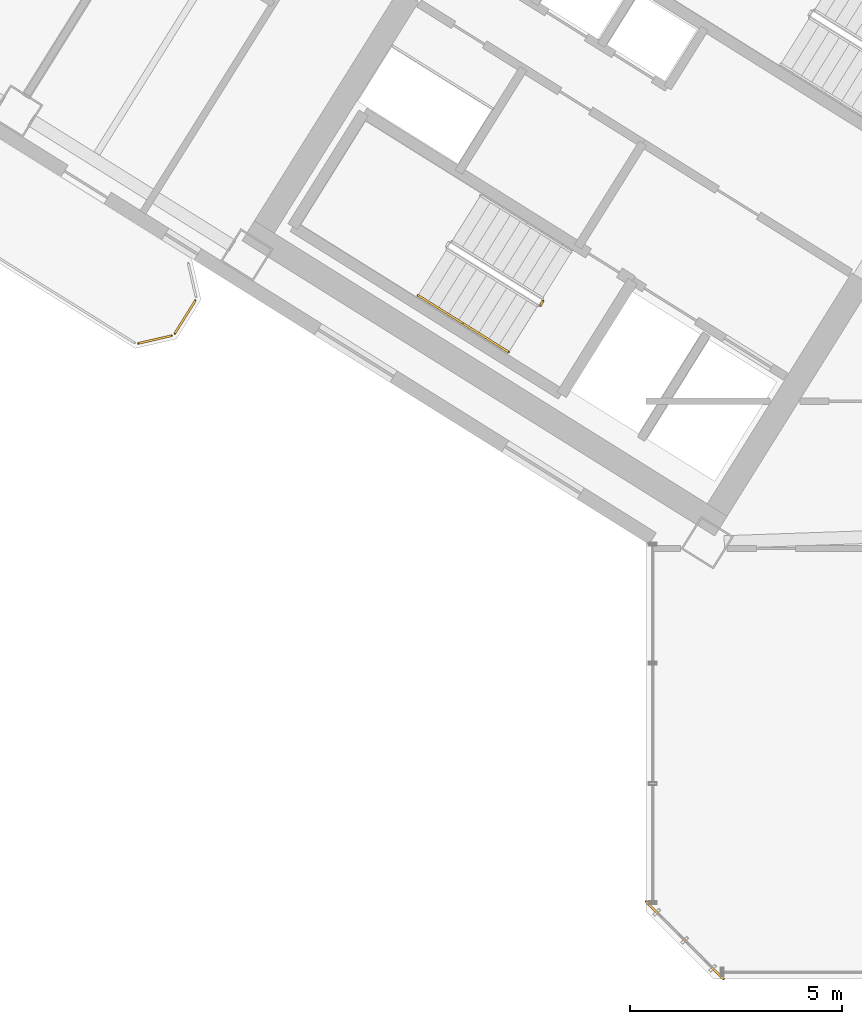
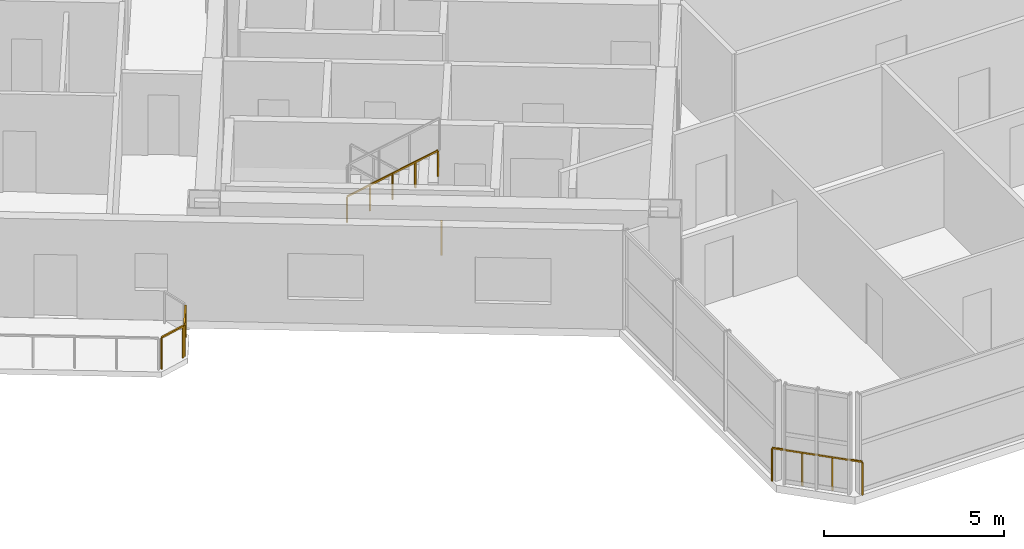
# One storey, part 17 of 20: 6 railings.
"""IFC4 building model written with IfcOpenShell, lengths in metres."""

import ifcopenshell
import ifcopenshell.guid

model = None  # the IFC model being written
_history = None  # IfcOwnerHistory: only IFC2X3 demands one
_inside = {}  # id of a spatial element -> (the spatial element, [elements in it])
_under = {}  # id of a project, library or spatial element -> (it, [spatial elements below it])
_declared = {}  # id of a project -> (the project, [libraries it declares])
_typed = {}  # id of a type object -> (the type object, [elements of that type])
_made_of = {}  # id of a material, layer set ... -> (it, [elements and type objects made of it])


def new_model(schema):
    """Start an empty IFC model of exactly this schema.

    Asked for "IFC4X3", IfcOpenShell would pick the latest addendum, in which some entities
    have other attributes; the version numbers below select the first issue.
    IFC2X3 requires an IfcOwnerHistory on every rooted entity: one is made here for all.
    """
    global model, _history
    if schema == "IFC4X3":
        model = ifcopenshell.file(schema_version=(4, 3, 0, 0))
    else:
        model = ifcopenshell.file(schema=schema)
    _inside.clear()
    _under.clear()
    _declared.clear()
    _typed.clear()
    _made_of.clear()
    _history = None
    if model.schema == "IFC2X3":
        org = make("IfcOrganization", Name="unknown")
        user = make(
            "IfcPersonAndOrganization",
            ThePerson=make("IfcPerson", FamilyName="unknown"),
            TheOrganization=org,
        )
        app = make(
            "IfcApplication",
            ApplicationDeveloper=org,
            Version="unknown",
            ApplicationFullName="unknown",
            ApplicationIdentifier="unknown",
        )
        _history = make(
            "IfcOwnerHistory",
            OwningUser=user,
            OwningApplication=app,
            ChangeAction="ADDED",
            CreationDate=0,
        )
    return model


def make(cls, **values):
    """One entity of the class cls with the attributes given. An attribute that is None is left unset."""
    return model.create_entity(
        cls, **{name: value for name, value in values.items() if value is not None}
    )


def rooted(cls, **values):
    """An entity with a GlobalId (a new one), such as an element, a storey or a relation."""
    return make(cls, GlobalId=ifcopenshell.guid.new(), OwnerHistory=_history, **values)


def si_unit(unit_type, name, prefix=None):
    """IfcSIUnit, for example si_unit("LENGTHUNIT", "METRE", prefix="MILLI")."""
    return make("IfcSIUnit", UnitType=unit_type, Prefix=prefix, Name=name)


def assignment(units):
    """IfcUnitAssignment: the units of a project."""
    return None if units is None else make("IfcUnitAssignment", Units=units)


def point(xyz):
    """IfcCartesianPoint."""
    return None if xyz is None else make("IfcCartesianPoint", Coordinates=xyz)


def direction(xyz):
    """IfcDirection."""
    return None if xyz is None else make("IfcDirection", DirectionRatios=xyz)


def frame(location, z_axis=None, x_axis=None):
    """IfcAxis2Placement3D, a coordinate frame: its origin and axes. An axis left out is left unset."""
    return make(
        "IfcAxis2Placement3D",
        Location=point(location),
        Axis=direction(z_axis),
        RefDirection=direction(x_axis),
    )


def frame_2d(location, x_axis=None):
    """IfcAxis2Placement2D, a coordinate frame in the plane: its origin and x axis."""
    return make(
        "IfcAxis2Placement2D", Location=point(location), RefDirection=direction(x_axis)
    )


def origin():
    """The frame at (0, 0, 0) with its axes left unset."""
    return frame((0.0, 0.0, 0.0))


def origin_2d():
    """The frame at (0, 0) in the plane with its x axis left unset."""
    return frame_2d((0.0, 0.0))


def place(relative_to, where):
    """IfcLocalPlacement: puts the frame where relative to a parent placement (None: the world)."""
    return make(
        "IfcLocalPlacement", PlacementRelTo=relative_to, RelativePlacement=where
    )


def context(
    kind, dimensions, precision=None, world=None, true_north=None, identifier=None
):
    """IfcGeometricRepresentationContext, for example the 3D "Model" context."""
    return make(
        "IfcGeometricRepresentationContext",
        ContextIdentifier=identifier,
        ContextType=kind,
        CoordinateSpaceDimension=dimensions,
        Precision=precision,
        WorldCoordinateSystem=world,
        TrueNorth=true_north,
    )


def subcontext(parent, identifier, kind, view, scale=None):
    """IfcGeometricRepresentationSubContext, for example "Body" below "Model"."""
    return make(
        "IfcGeometricRepresentationSubContext",
        ContextIdentifier=identifier,
        ContextType=kind,
        ParentContext=parent,
        TargetScale=scale,
        TargetView=view,
    )


def project(units=None, contexts=None):
    """IfcProject with its units and contexts."""
    return rooted(
        "IfcProject",
        Name="project",
        RepresentationContexts=contexts,
        UnitsInContext=assignment(units),
    )


def spatial(cls, under=None, at=None, **own):
    """A site, building, storey or space (cls), placed at a placement, below another one or the project."""
    s = rooted(cls, ObjectPlacement=at, **own)
    if under is not None:
        _under.setdefault(under.id(), (under, []))[1].append(s)
    return s


def profile(cls, at=None, kind="AREA", **sizes):
    """A parametric profile (cls). Its sizes go by their IFC names, for example OverallWidth=200.0."""
    return make(cls, ProfileType=kind, Position=at, **sizes)


def rectangle(**sizes):
    """IfcRectangleProfileDef."""
    return profile("IfcRectangleProfileDef", **sizes)


def extrude(swept, where, along, depth):
    """IfcExtrudedAreaSolid: the profile swept, set in the frame where, extruded along a direction by depth."""
    return make(
        "IfcExtrudedAreaSolid",
        SweptArea=swept,
        Position=where,
        ExtrudedDirection=direction(along),
        Depth=depth,
    )


def shape(context_of_items, identifier, shape_type, items):
    """IfcShapeRepresentation: the items that make up one representation, for example the "Body"."""
    return make(
        "IfcShapeRepresentation",
        ContextOfItems=context_of_items,
        RepresentationIdentifier=identifier,
        RepresentationType=shape_type,
        Items=items,
    )


def source(mapping_origin, context_of_items, identifier, shape_type, items):
    """IfcRepresentationMap: a shape defined once, which mapped items show again and again."""
    return make(
        "IfcRepresentationMap",
        MappingOrigin=mapping_origin,
        MappedRepresentation=shape(context_of_items, identifier, shape_type, items),
    )


def transform(
    local_origin,
    x_axis=None,
    y_axis=None,
    z_axis=None,
    scale=None,
    scale2=None,
    scale3=None,
    uniform=True,
):
    """IfcCartesianTransformationOperator3D, or its non-uniform kind. x_axis, y_axis, z_axis: its Axis1, 2, 3."""
    if uniform:
        return make(
            "IfcCartesianTransformationOperator3D",
            Axis1=direction(x_axis),
            Axis2=direction(y_axis),
            LocalOrigin=point(local_origin),
            Scale=scale,
            Axis3=direction(z_axis),
        )
    return make(
        "IfcCartesianTransformationOperator3DnonUniform",
        Axis1=direction(x_axis),
        Axis2=direction(y_axis),
        LocalOrigin=point(local_origin),
        Scale=scale,
        Axis3=direction(z_axis),
        Scale2=scale2,
        Scale3=scale3,
    )


def mapped(mapping_source, mapping_target):
    """IfcMappedItem: shows the shape of a source again, moved by a transform."""
    return make(
        "IfcMappedItem", MappingSource=mapping_source, MappingTarget=mapping_target
    )


def material(Name=None, Category=None):
    """IfcMaterial."""
    return make("IfcMaterial", Name=Name, Category=Category)


def made_of(thing, what):
    """Note that an element or type object is made of a material, layer set ...; save() writes the relation."""
    if what is not None:
        _made_of.setdefault(what.id(), (what, []))[1].append(thing)
    return thing


def type_object(cls, material=None, **own):
    """A type object (cls), such as IfcWallType, which elements share."""
    return made_of(rooted(cls, **own), material)


def element(
    cls,
    number,
    at=None,
    inside=None,
    cuts=None,
    type_object=None,
    material=None,
    context=None,
    identifier="Body",
    shape_type=None,
    held_by="IfcProductDefinitionShape",
    body=None,
    shapes=None,
    **own,
):
    """One element of the class cls, such as IfcWall. Its Tag is "e" and its number.

    at: its placement. inside: the storey or other place that contains it. cuts: it is an
    opening in that element (IfcRelVoidsElement). A single representation is given by context,
    identifier, shape_type and body (its items); several are given by shapes. held_by: the class
    of the entity that holds the representations. save() writes the other relations.
    """
    e = rooted(cls, Tag="e%d" % number, ObjectPlacement=at, **own)
    if body is not None:
        shapes = [shape(context, identifier, shape_type, body)]
    if shapes is not None:
        e.Representation = make(held_by, Representations=shapes)
    if inside is not None:
        _inside.setdefault(inside.id(), (inside, []))[1].append(e)
    if cuts is not None:
        rooted(
            "IfcRelVoidsElement", RelatingBuildingElement=cuts, RelatedOpeningElement=e
        )
    if type_object is not None:
        _typed.setdefault(type_object.id(), (type_object, []))[1].append(e)
    return made_of(e, material)


def aggregate(whole, parts):
    """IfcRelAggregates: a whole, such as a stair, and the parts it consists of."""
    return rooted("IfcRelAggregates", RelatingObject=whole, RelatedObjects=parts)


def save(model, path):
    """Write the relations noted so far, then the file.

    IfcRelAggregates (storeys below a building ...), IfcRelContainedInSpatialStructure (elements
    in a storey), IfcRelDefinesByType, IfcRelAssociatesMaterial and IfcRelDeclares: one each for
    every whole, place, type object, material and project.
    """
    for whole, parts in _under.values():
        aggregate(whole, parts)
    for where, things in _inside.values():
        rooted(
            "IfcRelContainedInSpatialStructure",
            RelatedElements=things,
            RelatingStructure=where,
        )
    for kind, things in _typed.values():
        rooted("IfcRelDefinesByType", RelatedObjects=things, RelatingType=kind)
    for what, things in _made_of.values():
        rooted("IfcRelAssociatesMaterial", RelatedObjects=things, RelatingMaterial=what)
    for by, libraries in _declared.values():
        rooted("IfcRelDeclares", RelatingContext=by, RelatedDefinitions=libraries)
    model.write(path)


model = new_model("IFC4")

# Units and contexts
model_context = context("Model", 3, precision=1e-05, world=origin(), true_north=direction((0.0, 1.0)))
body_context = subcontext(model_context, "Body", "Model", "MODEL_VIEW")
ifc_project = project(units=[si_unit("LENGTHUNIT", "METRE"), si_unit("AREAUNIT", "SQUARE_METRE"), si_unit("VOLUMEUNIT", "CUBIC_METRE"), si_unit("PLANEANGLEUNIT", "RADIAN"), si_unit("MASSUNIT", "GRAM", prefix="KILO")], contexts=[model_context])

# Site, building, storey
site_placement = place(None, origin())
site = spatial("IfcSite", under=ifc_project, at=site_placement, CompositionType="ELEMENT")
building_placement = place(site_placement, origin())
building = spatial("IfcBuilding", under=site, at=building_placement, Name="Tlacorven Tower", CompositionType="ELEMENT")
storey_placement = place(building_placement, frame((0.0, 0.0, 116.10009765625)))
storey = spatial("IfcBuildingStorey", under=building, at=storey_placement, Name="L29", CompositionType="ELEMENT", Elevation=116.10009765625)

# Railings
ifc_material = material(Name="Aluminium and painted steel balustrade", Category="steel")
railing_type_1 = type_object("IfcRailingType", Name="RL-BAL-1100", PredefinedType="BALUSTRADE", material=ifc_material)
shared_shape_1 = source(origin(), body_context, "Body", "SweptSolid", [
    extrude(rectangle(XDim=0.048095703125, YDim=0.048095703125, at=origin_2d()), frame((0.0, 0.0, 1.076171875), z_axis=(-0.52987865805, -0.848073468364, 0.0), x_axis=(0.848073468364, -0.52987865805, 0.0)), (0.0, 0.0, 1.0), 0.912353515625),
    extrude(rectangle(XDim=0.0419921875, YDim=0.0419921875, at=origin_2d()), origin(), (0.0, 0.0, 1.0), 1.052001953125),
    extrude(rectangle(XDim=0.0419921875, YDim=0.0419921875, at=origin_2d()), frame((-0.4833984375, -0.773681640625, 0.0)), (0.0, 0.0, 1.0), 1.052001953125),
])
railing_1_placement = place(storey_placement, frame((20.976318359375, 17.793701171875, 0.0)))
element("IfcRailing", 1, at=railing_1_placement, inside=storey, type_object=railing_type_1, Name="BAL-L29-W-OUT Guard Railing 2", PredefinedType="BALUSTRADE", context=body_context, shape_type="MappedRepresentation", body=[
    mapped(shared_shape_1, transform((0.0, 0.0, 0.0), scale=1.0)),
])
shared_shape_2 = source(origin(), body_context, "Body", "SweptSolid", [
    extrude(rectangle(XDim=0.048095703125, YDim=0.048095703125, at=origin_2d()), frame((0.0, 0.0, 1.076171875), z_axis=(-0.974345290916, -0.225058334816, 0.0), x_axis=(0.225058334816, -0.974345290916, 0.0)), (0.0, 0.0, 1.0), 0.80712890625),
    extrude(rectangle(XDim=0.0419921875, YDim=0.0419921875, at=origin_2d()), origin(), (0.0, 0.0, 1.0), 1.052001953125),
    extrude(rectangle(XDim=0.0419921875, YDim=0.0419921875, at=origin_2d()), frame((-0.786376953125, -0.181640625, 0.0)), (0.0, 0.0, 1.0), 1.052001953125),
])
railing_2_placement = place(storey_placement, frame((20.417724609375, 16.966552734375, 0.0)))
element("IfcRailing", 2, at=railing_2_placement, inside=storey, type_object=railing_type_1, Name="BAL-L29-W-OUT Guard Railing 3", PredefinedType="BALUSTRADE", context=body_context, shape_type="MappedRepresentation", body=[
    mapped(shared_shape_2, transform((0.0, 0.0, 0.0), scale=1.0)),
])
railing_type_2 = type_object("IfcRailingType", Name="RL-GRD-1150", PredefinedType="GUARDRAIL", material=ifc_material)
shared_shape_3 = source(origin(), body_context, "Body", "SweptSolid", [
    extrude(rectangle(XDim=0.048095703125, YDim=0.048095703125, at=origin_2d()), frame((0.0, 0.0, 1.1259765625), z_axis=(-0.707106781187, 0.707106781187, 0.0), x_axis=(-0.707106781187, -0.707106781187, 0.0)), (0.0, 0.0, 1.0), 2.590087890625),
    extrude(rectangle(XDim=0.0419921875, YDim=0.0419921875, at=origin_2d()), origin(), (0.0, 0.0, 1.0), 1.101806640625),
    extrude(rectangle(XDim=0.0419921875, YDim=0.0419921875, at=origin_2d()), frame((-0.610595703125, 0.610595703125, 0.0)), (0.0, 0.0, 1.0), 1.101806640625),
    extrude(rectangle(XDim=0.0419921875, YDim=0.0419921875, at=origin_2d()), frame((-1.220947265625, 1.220947265625, 0.0)), (0.0, 0.0, 1.0), 1.101806640625),
    extrude(rectangle(XDim=0.0419921875, YDim=0.0419921875, at=origin_2d()), frame((-1.83154296875, 1.83154296875, 0.0)), (0.0, 0.0, 1.0), 1.101806640625),
])
railing_3_placement = place(storey_placement, frame((33.428955078125, 1.79736328125, 0.0)))
element("IfcRailing", 3, at=railing_3_placement, inside=storey, type_object=railing_type_2, Name="L29 Knuckle Glazed Sill Guard 1", PredefinedType="GUARDRAIL", context=body_context, shape_type="MappedRepresentation", body=[
    mapped(shared_shape_3, transform((0.0, 0.0, 0.0), scale=1.0)),
])
railing_type_3 = type_object("IfcRailingType", Name="RL-GRD-1100", PredefinedType="GUARDRAIL", material=ifc_material)
shared_shape_4 = source(origin(), body_context, "Body", "SweptSolid", [
    extrude(rectangle(XDim=0.048095703125, YDim=0.048095703125, at=origin_2d()), frame((0.0, 0.0, 1.076171875), z_axis=(-0.529084052582, -0.848569422795, 0.0), x_axis=(0.848569422795, -0.529084052582, 0.0)), (0.0, 0.0, 1.0), 0.119873046875),
    extrude(rectangle(XDim=0.0419921875, YDim=0.0419921875, at=origin_2d()), origin(), (0.0, 0.0, 1.0), 1.052001953125),
    extrude(rectangle(XDim=0.0419921875, YDim=0.0419921875, at=origin_2d()), frame((-0.0634765625, -0.101806640625, 0.0)), (0.0, 0.0, 1.0), 1.052001953125),
])
railing_4_placement = place(storey_placement, frame((29.176513671875, 17.782958984375, 0.0)))
element("IfcRailing", 4, at=railing_4_placement, inside=storey, type_object=railing_type_3, Name="L29 ST-W1 stair guard 4", PredefinedType="GUARDRAIL", context=body_context, shape_type="MappedRepresentation", body=[
    mapped(shared_shape_4, transform((0.0, 0.0, 0.0), scale=1.0)),
])
railing_type_4 = type_object("IfcRailingType", Name="RL-HND-0900", PredefinedType="HANDRAIL", material=ifc_material)
shared_shape_5 = source(origin(), body_context, "Body", "SweptSolid", [
    extrude(rectangle(XDim=0.048095703125, YDim=0.048095703125, at=origin_2d()), frame((0.0, 0.0, 0.8759765625), z_axis=(0.713279695859, -0.445799809912, 0.540827703579), x_axis=(0.529998940003, 0.847998304005, 0.0)), (0.0, 0.0, 1.0), 1.497802734375),
    extrude(rectangle(XDim=0.0419921875, YDim=0.0419921875, at=origin_2d()), origin(), (0.0, 0.0, 1.0), 0.851806640625),
    extrude(rectangle(XDim=0.0419921875, YDim=0.0419921875, at=origin_2d()), frame((0.5341796875, -0.333984375, 0.405029296875)), (0.0, 0.0, 1.0), 0.851806640625),
    extrude(rectangle(XDim=0.0419921875, YDim=0.0419921875, at=origin_2d()), frame((1.068359375, -0.667724609375, 0.81005859375)), (0.0, 0.0, 1.0), 0.851806640625),
])
railing_5_placement = place(storey_placement, frame((27.29736328125, 17.24755859375, 2.789794921875)))
element("IfcRailing", 5, at=railing_5_placement, inside=storey, type_object=railing_type_4, Name="L29 ST-W1 stair handrail 4", PredefinedType="HANDRAIL", context=body_context, shape_type="MappedRepresentation", body=[
    mapped(shared_shape_5, transform((0.0, 0.0, 0.0), scale=1.0)),
])
shared_shape_6 = source(origin(), body_context, "Body", "SweptSolid", [
    extrude(rectangle(XDim=0.048095703125, YDim=0.048095703125, at=origin_2d()), frame((0.0, 0.0, 0.8759765625), z_axis=(0.713422621445, -0.445787267455, 0.540649494022), x_axis=(0.529911857636, 0.848052724267, 0.0)), (0.0, 0.0, 1.0), 1.497802734375),
    extrude(rectangle(XDim=0.0419921875, YDim=0.0419921875, at=origin_2d()), origin(), (0.0, 0.0, 1.0), 0.851806640625),
    extrude(rectangle(XDim=0.0419921875, YDim=0.0419921875, at=origin_2d()), frame((0.5341796875, -0.333984375, 0.40478515625)), (0.0, 0.0, 1.0), 0.851806640625),
    extrude(rectangle(XDim=0.0419921875, YDim=0.0419921875, at=origin_2d()), frame((1.068603515625, -0.667724609375, 0.809814453125)), (0.0, 0.0, 1.0), 0.851806640625),
])
railing_6_placement = place(storey_placement, frame((26.228759765625, 17.915283203125, 1.97998046875)))
element("IfcRailing", 6, at=railing_6_placement, inside=storey, type_object=railing_type_4, Name="L29 ST-W1 stair handrail 3", PredefinedType="HANDRAIL", context=body_context, shape_type="MappedRepresentation", body=[
    mapped(shared_shape_6, transform((0.0, 0.0, 0.0), scale=1.0)),
])

save(model, "model.ifc")
